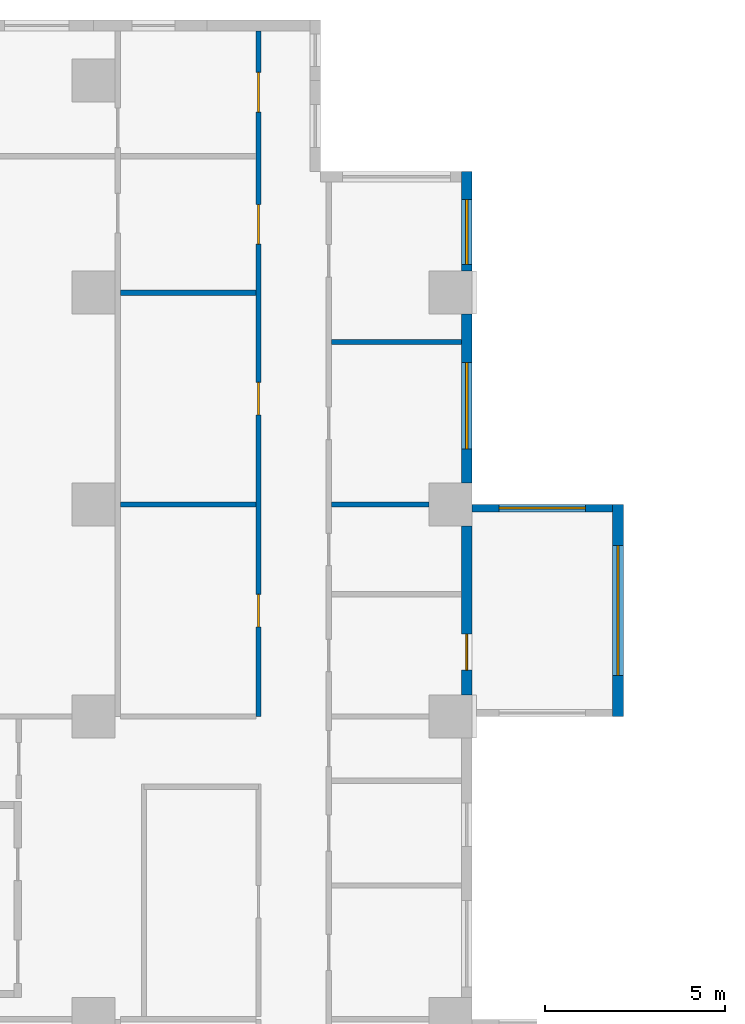
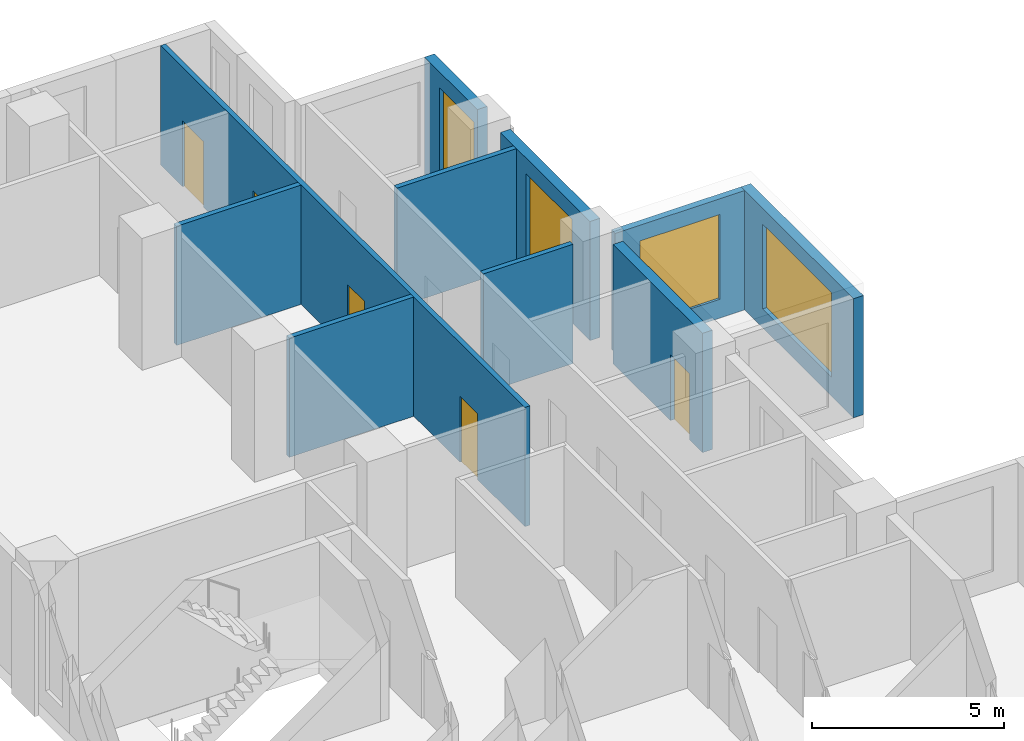
# One storey, part 10 of 17: 10 walls, 5 doors, 4 windows, 9 openings.
"""IFC4 building model written with IfcOpenShell, lengths in metres."""

from ifc_helpers import new_model, si_unit, direction, frame, frame_2d, origin, place, context, subcontext, project, spatial, rectangle, extrude, source, transform, mapped, material, layer, layer_set, type_object, element, fill, save


model = new_model("IFC4")

# Units and contexts
model_context = context("Model", 3, precision=1e-05, world=origin(), true_north=direction((0.0, 1.0)))
body_context = subcontext(model_context, "Body", "Model", "MODEL_VIEW")
ifc_project = project(units=[si_unit("LENGTHUNIT", "METRE"), si_unit("AREAUNIT", "SQUARE_METRE"), si_unit("VOLUMEUNIT", "CUBIC_METRE"), si_unit("PLANEANGLEUNIT", "RADIAN"), si_unit("MASSUNIT", "GRAM", prefix="KILO")], contexts=[model_context])

# Site, building, storey
site_placement = place(None, origin())
site = spatial("IfcSite", under=ifc_project, at=site_placement, CompositionType="ELEMENT")
building_placement = place(site_placement, origin())
building = spatial("IfcBuilding", under=site, at=building_placement, Name="Aurelian Terraces", CompositionType="ELEMENT")
storey_placement = place(building_placement, frame((0.0, 0.0, 48.9)))
storey = spatial("IfcBuildingStorey", under=building, at=storey_placement, Name="L09", CompositionType="ELEMENT", Elevation=48.9)

# Wall, opening, door
ifc_material_1 = material(Name="Terracotta rainscreen cladding", Category="masonry")
ifc_layer_1 = layer(ifc_material_1, 0.3)
ifc_layer_set_1 = layer_set([ifc_layer_1], Name="EW-300")
wall_type_1 = type_object("IfcWallType", Name="EW-300", PredefinedType="STANDARD", material=ifc_layer_set_1)
shared_shape_1 = source(origin(), body_context, "Body", "SweptSolid", [
    extrude(rectangle(XDim=4.68, YDim=0.3, at=frame_2d((2.34, 0.0))), origin(), (0.0, 0.0, 1.0), 3.8),
])
wall_1_placement = place(storey_placement, frame((20.85, 46.8, 0.0), z_axis=(0.0, 0.0, 1.0), x_axis=(0.0, 1.0, 0.0)))
wall_1 = element("IfcWall", 1, at=wall_1_placement, inside=storey, type_object=wall_type_1, Name="External wall L09 F12.29", PredefinedType="STANDARD", context=body_context, shape_type="MappedRepresentation", body=[
    mapped(shared_shape_1, transform((0.0, 0.0, 0.0), scale=1.0)),
])
shared_shape_2 = source(origin(), body_context, "Body", "SweptSolid", [
    extrude(rectangle(XDim=1.0, YDim=2.1, at=frame_2d((0.5, 1.05))), frame((0.0, 0.16, 0.0), z_axis=(0.0, -1.0, 0.0), x_axis=(1.0, 0.0, 0.0)), (0.0, 0.0, 1.0), 0.32),
])
opening_1_placement = place(wall_1_placement, frame((0.685, 0.0, 0.0)))
opening_1 = element("IfcOpeningElement", 2, at=opening_1_placement, cuts=wall_1, Name="Opening 809002", PredefinedType="OPENING", context=body_context, shape_type="MappedRepresentation", body=[
    mapped(shared_shape_2, transform((0.0, 0.0, 0.0), scale=1.0)),
])
ifc_material_2 = material(Name="Timber door leaf", Category="wood")
door_type_1 = type_object("IfcDoorType", Name="Room door 1000x2100 left", OperationType="SINGLE_SWING_LEFT", PredefinedType="DOOR", material=ifc_material_2)
shared_shape_3 = source(origin(), body_context, "Body", "SweptSolid", [
    extrude(rectangle(XDim=1.0, YDim=2.1, at=frame_2d((0.5, 1.05))), frame((0.0, 0.025, 0.0), z_axis=(0.0, -1.0, 0.0), x_axis=(1.0, 0.0, 0.0)), (0.0, 0.0, 1.0), 0.05),
])
door_1_placement = place(opening_1_placement, origin())
door_1 = element("IfcDoor", 3, at=door_1_placement, inside=storey, type_object=door_type_1, Name="Door 809002", OperationType="SINGLE_SWING_LEFT", OverallHeight=2.1, OverallWidth=1.0, PredefinedType="DOOR", context=body_context, shape_type="MappedRepresentation", body=[
    mapped(shared_shape_3, transform((0.0, 0.0, 0.0), scale=1.0)),
])
fill(opening_1, door_1)

# Wall, opening, window
wall_2_placement = place(storey_placement, frame((20.85, 52.68, 0.0), z_axis=(0.0, 0.0, 1.0), x_axis=(0.0, 1.0, 0.0)))
wall_2 = element("IfcWall", 4, at=wall_2_placement, inside=storey, type_object=wall_type_1, Name="External wall L09 F12.30", PredefinedType="STANDARD", context=body_context, shape_type="MappedRepresentation", body=[
    mapped(shared_shape_1, transform((0.0, 0.0, 0.0), scale=1.0)),
])
shared_shape_4 = source(origin(), body_context, "Body", "SweptSolid", [
    extrude(rectangle(XDim=2.4, YDim=2.7, at=frame_2d((1.2, 1.35))), frame((0.0, 0.16, 0.0), z_axis=(0.0, -1.0, 0.0), x_axis=(1.0, 0.0, 0.0)), (0.0, 0.0, 1.0), 0.32),
])
opening_2_placement = place(wall_2_placement, frame((0.936, 0.0, 0.6)))
opening_2 = element("IfcOpeningElement", 5, at=opening_2_placement, cuts=wall_2, Name="Opening W2427", PredefinedType="OPENING", context=body_context, shape_type="MappedRepresentation", body=[
    mapped(shared_shape_4, transform((0.0, 0.0, 0.0), scale=1.0)),
])
ifc_material_3 = material(Name="Clear glazing", Category="glass")
window_type_1 = type_object("IfcWindowType", Name="W-2400x2700", PartitioningType="SINGLE_PANEL", PredefinedType="WINDOW", material=ifc_material_3)
shared_shape_5 = source(origin(), body_context, "Body", "SweptSolid", [
    extrude(rectangle(XDim=2.4, YDim=2.7, at=frame_2d((1.2, 1.35))), frame((0.0, 0.03, 0.0), z_axis=(0.0, -1.0, 0.0), x_axis=(1.0, 0.0, 0.0)), (0.0, 0.0, 1.0), 0.06),
])
window_1_placement = place(opening_2_placement, origin())
window_1 = element("IfcWindow", 6, at=window_1_placement, inside=storey, type_object=window_type_1, Name="Window L09 L09-F12-30-0", OverallHeight=2.7, OverallWidth=2.4, PartitioningType="SINGLE_PANEL", PredefinedType="WINDOW", context=body_context, shape_type="MappedRepresentation", body=[
    mapped(shared_shape_5, transform((0.0, 0.0, 0.0), scale=1.0)),
])
fill(opening_2, window_1)

shared_shape_6 = source(origin(), body_context, "Body", "SweptSolid", [
    extrude(rectangle(XDim=2.76, YDim=0.3, at=frame_2d((1.38, 0.0))), origin(), (0.0, 0.0, 1.0), 3.8),
])
wall_3_placement = place(storey_placement, frame((20.85, 58.56, 0.0), z_axis=(0.0, 0.0, 1.0), x_axis=(0.0, 1.0, 0.0)))
wall_3 = element("IfcWall", 7, at=wall_3_placement, inside=storey, type_object=wall_type_1, Name="External wall L09 F12.31", PredefinedType="STANDARD", context=body_context, shape_type="MappedRepresentation", body=[
    mapped(shared_shape_6, transform((0.0, 0.0, 0.0), scale=1.0)),
])
shared_shape_7 = source(origin(), body_context, "Body", "SweptSolid", [
    extrude(rectangle(XDim=1.8, YDim=2.7, at=frame_2d((0.9, 1.35))), frame((0.0, 0.16, 0.0), z_axis=(0.0, -1.0, 0.0), x_axis=(1.0, 0.0, 0.0)), (0.0, 0.0, 1.0), 0.32),
])
opening_3_placement = place(wall_3_placement, frame((0.18, 0.0, 0.6)))
opening_3 = element("IfcOpeningElement", 8, at=opening_3_placement, cuts=wall_3, Name="Opening W1827", PredefinedType="OPENING", context=body_context, shape_type="MappedRepresentation", body=[
    mapped(shared_shape_7, transform((0.0, 0.0, 0.0), scale=1.0)),
])
window_type_2 = type_object("IfcWindowType", Name="W-1800x2700", PartitioningType="SINGLE_PANEL", PredefinedType="WINDOW", material=ifc_material_3)
shared_shape_8 = source(origin(), body_context, "Body", "SweptSolid", [
    extrude(rectangle(XDim=1.8, YDim=2.7, at=frame_2d((0.9, 1.35))), frame((0.0, 0.03, 0.0), z_axis=(0.0, -1.0, 0.0), x_axis=(1.0, 0.0, 0.0)), (0.0, 0.0, 1.0), 0.06),
])
window_2_placement = place(opening_3_placement, origin())
window_2 = element("IfcWindow", 9, at=window_2_placement, inside=storey, type_object=window_type_2, Name="Window L09 L09-F12-31-0", OverallHeight=2.7, OverallWidth=1.8, PartitioningType="SINGLE_PANEL", PredefinedType="WINDOW", context=body_context, shape_type="MappedRepresentation", body=[
    mapped(shared_shape_8, transform((0.0, 0.0, 0.0), scale=1.0)),
])
fill(opening_3, window_2)

ifc_material_4 = material(Name="Concrete fc' 40 MPa", Category="concrete")
ifc_layer_2 = layer(ifc_material_4, 0.2)
ifc_layer_set_2 = layer_set([ifc_layer_2], Name="BOX BEARING WALL 200")
wall_type_2 = type_object("IfcWallType", Name="BOX BEARING WALL 200", PredefinedType="SOLIDWALL", material=ifc_layer_set_2)
shared_shape_9 = source(origin(), body_context, "Body", "SweptSolid", [
    extrude(rectangle(XDim=3.9, YDim=0.2, at=frame_2d((1.95, 0.0))), origin(), (0.0, 0.0, 1.0), 3.8),
])
wall_4_placement = place(storey_placement, frame((21.0, 51.98, 0.0), z_axis=(0.0, 0.0, 1.0), x_axis=(1.0, 0.0, 0.0)))
wall_4 = element("IfcWall", 10, at=wall_4_placement, inside=storey, type_object=wall_type_2, Name="Box return L09 J02.2", PredefinedType="SOLIDWALL", context=body_context, shape_type="MappedRepresentation", body=[
    mapped(shared_shape_9, transform((0.0, 0.0, 0.0), scale=1.0)),
])
shared_shape_10 = source(origin(), body_context, "Body", "SweptSolid", [
    extrude(rectangle(XDim=2.4, YDim=2.7, at=frame_2d((1.2, 1.35))), frame((0.0, 0.11, 0.0), z_axis=(0.0, -1.0, 0.0), x_axis=(1.0, 0.0, 0.0)), (0.0, 0.0, 1.0), 0.22),
])
opening_4_placement = place(wall_4_placement, frame((0.75, 0.0, 0.6)))
opening_4 = element("IfcOpeningElement", 11, at=opening_4_placement, cuts=wall_4, Name="Opening W2427", PredefinedType="OPENING", context=body_context, shape_type="MappedRepresentation", body=[
    mapped(shared_shape_10, transform((0.0, 0.0, 0.0), scale=1.0)),
])
window_3_placement = place(opening_4_placement, origin())
window_3 = element("IfcWindow", 12, at=window_3_placement, inside=storey, type_object=window_type_1, Name="Window L09 J02-S2", OverallHeight=2.7, OverallWidth=2.4, PartitioningType="SINGLE_PANEL", PredefinedType="WINDOW", context=body_context, shape_type="MappedRepresentation", body=[
    mapped(shared_shape_5, transform((0.0, 0.0, 0.0), scale=1.0)),
])
fill(opening_4, window_3)

ifc_layer_3 = layer(ifc_material_4, 0.3)
ifc_layer_set_3 = layer_set([ifc_layer_3], Name="BOX BEARING WALL 300")
wall_type_3 = type_object("IfcWallType", Name="BOX BEARING WALL 300", PredefinedType="SOLIDWALL", material=ifc_layer_set_3)
shared_shape_11 = source(origin(), body_context, "Body", "SweptSolid", [
    extrude(rectangle(XDim=5.88, YDim=0.3, at=frame_2d((2.94, 0.0))), origin(), (0.0, 0.0, 1.0), 3.8),
])
wall_5_placement = place(storey_placement, frame((25.05, 46.2, 0.0), z_axis=(0.0, 0.0, 1.0), x_axis=(0.0, 1.0, 0.0)))
wall_5 = element("IfcWall", 13, at=wall_5_placement, inside=storey, type_object=wall_type_3, Name="Box wall L09 J02", PredefinedType="SOLIDWALL", context=body_context, shape_type="MappedRepresentation", body=[
    mapped(shared_shape_11, transform((0.0, 0.0, 0.0), scale=1.0)),
])
shared_shape_12 = source(origin(), body_context, "Body", "SweptSolid", [
    extrude(rectangle(XDim=3.6, YDim=2.7, at=frame_2d((1.8, 1.35))), frame((0.0, 0.16, 0.0), z_axis=(0.0, -1.0, 0.0), x_axis=(1.0, 0.0, 0.0)), (0.0, 0.0, 1.0), 0.32),
])
opening_5_placement = place(wall_5_placement, frame((1.14, 0.0, 0.6)))
opening_5 = element("IfcOpeningElement", 14, at=opening_5_placement, cuts=wall_5, Name="Opening W3627", PredefinedType="OPENING", context=body_context, shape_type="MappedRepresentation", body=[
    mapped(shared_shape_12, transform((0.0, 0.0, 0.0), scale=1.0)),
])
window_type_3 = type_object("IfcWindowType", Name="W-3600x2700", PartitioningType="SINGLE_PANEL", PredefinedType="WINDOW", material=ifc_material_3)
shared_shape_13 = source(origin(), body_context, "Body", "SweptSolid", [
    extrude(rectangle(XDim=3.6, YDim=2.7, at=frame_2d((1.8, 1.35))), frame((0.0, 0.03, 0.0), z_axis=(0.0, -1.0, 0.0), x_axis=(1.0, 0.0, 0.0)), (0.0, 0.0, 1.0), 0.06),
])
window_4_placement = place(opening_5_placement, origin())
window_4 = element("IfcWindow", 15, at=window_4_placement, inside=storey, type_object=window_type_3, Name="Window L09 J02-F1", OverallHeight=2.7, OverallWidth=3.6, PartitioningType="SINGLE_PANEL", PredefinedType="WINDOW", context=body_context, shape_type="MappedRepresentation", body=[
    mapped(shared_shape_13, transform((0.0, 0.0, 0.0), scale=1.0)),
])
fill(opening_5, window_4)

# Walls
ifc_material_5 = material(Name="Gypsum board on steel studs", Category="steel")
ifc_layer_4 = layer(ifc_material_5, 0.15)
ifc_layer_set_4 = layer_set([ifc_layer_4], Name="Partition 150")
wall_type_4 = type_object("IfcWallType", Name="Partition 150", PredefinedType="PARTITIONING", material=ifc_layer_set_4)
shared_shape_14 = source(origin(), body_context, "Body", "SweptSolid", [
    extrude(rectangle(XDim=3.75, YDim=0.15, at=frame_2d((1.875, 0.0))), origin(), (0.0, 0.0, 1.0), 3.8),
])
for number, where, z_axis, x_axis, name in (
    (16, (15.0, 52.08, 0.0), (0.0, 0.0, 1.0), (-1.0, 0.0, 0.0), "Partition"),
    (17, (15.0, 57.96, 0.0), (0.0, 0.0, 1.0), (-1.0, 0.0, 0.0), "Partition"),
):
    element("IfcWall", number, at=place(storey_placement, frame(where, z_axis=z_axis, x_axis=x_axis)), inside=storey, type_object=wall_type_4, Name=name, PredefinedType="PARTITIONING", context=body_context, shape_type="MappedRepresentation", body=[
        mapped(shared_shape_14, transform((0.0, 0.0, 0.0), scale=1.0)),
    ])
shared_shape_15 = source(origin(), body_context, "Body", "SweptSolid", [
    extrude(rectangle(XDim=3.6, YDim=0.15, at=frame_2d((1.8, 0.0))), origin(), (0.0, 0.0, 1.0), 3.8),
])
wall_6_placement = place(storey_placement, frame((17.1, 56.5875, 0.0), z_axis=(0.0, 0.0, 1.0), x_axis=(1.0, 0.0, 0.0)))
element("IfcWall", 18, at=wall_6_placement, inside=storey, type_object=wall_type_4, Name="Partition", PredefinedType="PARTITIONING", context=body_context, shape_type="MappedRepresentation", body=[
    mapped(shared_shape_15, transform((0.0, 0.0, 0.0), scale=1.0)),
])
shared_shape_16 = source(origin(), body_context, "Body", "SweptSolid", [
    extrude(rectangle(XDim=2.701, YDim=0.15, at=frame_2d((1.3505, 0.0))), origin(), (0.0, 0.0, 1.0), 3.8),
])
wall_7_placement = place(storey_placement, frame((19.801, 52.08, 0.0), z_axis=(0.0, 0.0, 1.0), x_axis=(-1.0, 0.0, 0.0)))
element("IfcWall", 19, at=wall_7_placement, inside=storey, type_object=wall_type_4, Name="Partition", PredefinedType="PARTITIONING", context=body_context, shape_type="MappedRepresentation", body=[
    mapped(shared_shape_16, transform((0.0, 0.0, 0.0), scale=1.0)),
])

# Wall, openings, doors
ifc_layer_5 = layer(ifc_material_5, 0.15)
ifc_layer_set_5 = layer_set([ifc_layer_5], Name="Fire partition 150")
wall_type_5 = type_object("IfcWallType", Name="Fire partition 150", PredefinedType="PARTITIONING", material=ifc_layer_set_5)
shared_shape_17 = source(origin(), body_context, "Body", "SweptSolid", [
    extrude(rectangle(XDim=19.02, YDim=0.15, at=frame_2d((9.51, 0.0))), origin(), (0.0, 0.0, 1.0), 3.8),
])
wall_8_placement = place(storey_placement, frame((15.075, 46.2, 0.0), z_axis=(0.0, 0.0, 1.0), x_axis=(0.0, 1.0, 0.0)))
wall_8 = element("IfcWall", 20, at=wall_8_placement, inside=storey, type_object=wall_type_5, Name="Corridor wall", PredefinedType="PARTITIONING", context=body_context, shape_type="MappedRepresentation", body=[
    mapped(shared_shape_17, transform((0.0, 0.0, 0.0), scale=1.0)),
])
shared_shape_18 = source(origin(), body_context, "Body", "SweptSolid", [
    extrude(rectangle(XDim=1.1, YDim=2.1, at=frame_2d((0.55, 1.05))), frame((0.0, 0.085, 0.0), z_axis=(0.0, -1.0, 0.0), x_axis=(1.0, 0.0, 0.0)), (0.0, 0.0, 1.0), 0.17),
])
opening_6_placement = place(wall_8_placement, frame((13.1, 0.0, 0.0)))
opening_6 = element("IfcOpeningElement", 21, at=opening_6_placement, cuts=wall_8, Name="Opening 709036", PredefinedType="OPENING", context=body_context, shape_type="MappedRepresentation", body=[
    mapped(shared_shape_18, transform((0.0, 0.0, 0.0), scale=1.0)),
])
shared_shape_19 = source(origin(), body_context, "Body", "SweptSolid", [
    extrude(rectangle(XDim=0.9, YDim=2.1, at=frame_2d((0.45, 1.05))), frame((0.0, 0.085, 0.0), z_axis=(0.0, -1.0, 0.0), x_axis=(1.0, 0.0, 0.0)), (0.0, 0.0, 1.0), 0.17),
])
opening_7_placement = place(wall_8_placement, frame((2.49, 0.0, 0.0)))
opening_7 = element("IfcOpeningElement", 22, at=opening_7_placement, cuts=wall_8, Name="Opening 709038", PredefinedType="OPENING", context=body_context, shape_type="MappedRepresentation", body=[
    mapped(shared_shape_19, transform((0.0, 0.0, 0.0), scale=1.0)),
])
opening_8_placement = place(wall_8_placement, frame((8.37, 0.0, 0.0)))
opening_8 = element("IfcOpeningElement", 23, at=opening_8_placement, cuts=wall_8, Name="Opening 709039", PredefinedType="OPENING", context=body_context, shape_type="MappedRepresentation", body=[
    mapped(shared_shape_19, transform((0.0, 0.0, 0.0), scale=1.0)),
])
opening_9_placement = place(wall_8_placement, frame((16.7675, 0.0, 0.0)))
opening_9 = element("IfcOpeningElement", 24, at=opening_9_placement, cuts=wall_8, Name="Opening 709040", PredefinedType="OPENING", context=body_context, shape_type="MappedRepresentation", body=[
    mapped(shared_shape_18, transform((0.0, 0.0, 0.0), scale=1.0)),
])
door_type_2 = type_object("IfcDoorType", Name="Room door 900x2100 right", OperationType="SINGLE_SWING_RIGHT", PredefinedType="DOOR", material=ifc_material_2)
shared_shape_20 = source(origin(), body_context, "Body", "SweptSolid", [
    extrude(rectangle(XDim=0.9, YDim=2.1, at=frame_2d((0.45, 1.05))), frame((0.0, 0.025, 0.0), z_axis=(0.0, -1.0, 0.0), x_axis=(1.0, 0.0, 0.0)), (0.0, 0.0, 1.0), 0.05),
])
door_2_placement = place(opening_7_placement, origin())
door_2 = element("IfcDoor", 25, at=door_2_placement, inside=storey, type_object=door_type_2, Name="Door 709038", OperationType="SINGLE_SWING_RIGHT", OverallHeight=2.1, OverallWidth=0.9, PredefinedType="DOOR", context=body_context, shape_type="MappedRepresentation", body=[
    mapped(shared_shape_20, transform((0.0, 0.0, 0.0), scale=1.0)),
])
fill(opening_7, door_2)
door_type_3 = type_object("IfcDoorType", Name="Room door 900x2100 left", OperationType="SINGLE_SWING_LEFT", PredefinedType="DOOR", material=ifc_material_2)
door_3_placement = place(opening_8_placement, origin())
door_3 = element("IfcDoor", 26, at=door_3_placement, inside=storey, type_object=door_type_3, Name="Door 709039", OperationType="SINGLE_SWING_LEFT", OverallHeight=2.1, OverallWidth=0.9, PredefinedType="DOOR", context=body_context, shape_type="MappedRepresentation", body=[
    mapped(shared_shape_20, transform((0.0, 0.0, 0.0), scale=1.0)),
])
fill(opening_8, door_3)
door_type_4 = type_object("IfcDoorType", Name="Room door 1100x2100 right", OperationType="SINGLE_SWING_RIGHT", PredefinedType="DOOR", material=ifc_material_2)
shared_shape_21 = source(origin(), body_context, "Body", "SweptSolid", [
    extrude(rectangle(XDim=1.1, YDim=2.1, at=frame_2d((0.55, 1.05))), frame((0.0, 0.025, 0.0), z_axis=(0.0, -1.0, 0.0), x_axis=(1.0, 0.0, 0.0)), (0.0, 0.0, 1.0), 0.05),
])
door_4_placement = place(opening_6_placement, origin())
door_4 = element("IfcDoor", 27, at=door_4_placement, inside=storey, type_object=door_type_4, Name="Door 709036", OperationType="SINGLE_SWING_RIGHT", OverallHeight=2.1, OverallWidth=1.1, PredefinedType="DOOR", context=body_context, shape_type="MappedRepresentation", body=[
    mapped(shared_shape_21, transform((0.0, 0.0, 0.0), scale=1.0)),
])
fill(opening_6, door_4)
door_5_placement = place(opening_9_placement, origin())
door_5 = element("IfcDoor", 28, at=door_5_placement, inside=storey, type_object=door_type_4, Name="Door 709040", OperationType="SINGLE_SWING_RIGHT", OverallHeight=2.1, OverallWidth=1.1, PredefinedType="DOOR", context=body_context, shape_type="MappedRepresentation", body=[
    mapped(shared_shape_21, transform((0.0, 0.0, 0.0), scale=1.0)),
])
fill(opening_9, door_5)

save(model, "model.ifc")
